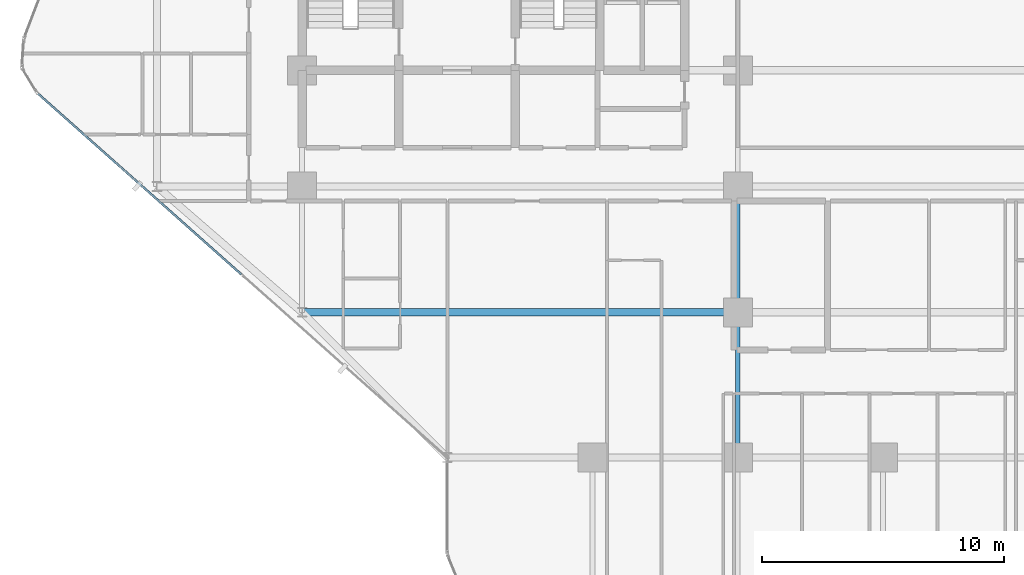
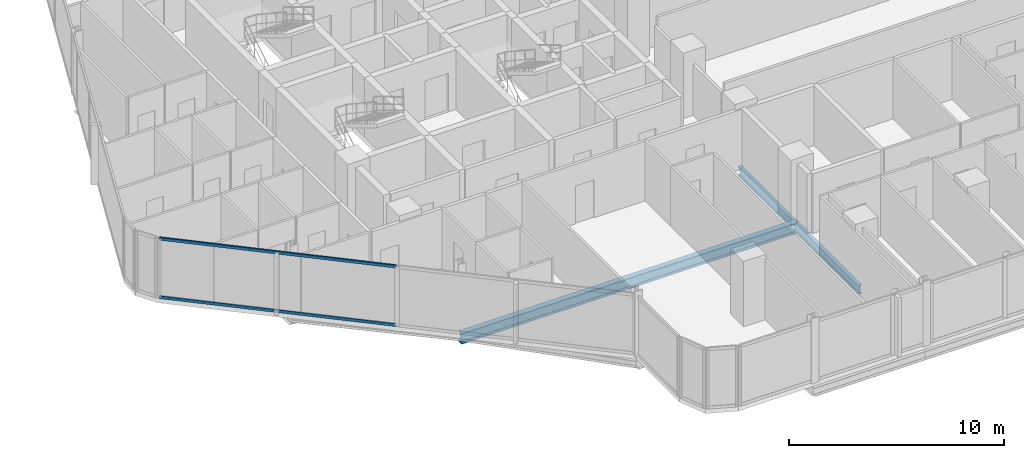
# One storey, part 5 of 34: 3 beams, 2 members, 1 element without a shape of its own.
"""IFC4 building model written with IfcOpenShell, lengths in metres."""

from ifc_helpers import new_model, si_unit, direction, frame, origin, origin_2d, place, context, subcontext, project, spatial, hollow_rectangle, i_section, extrude, material, layer, layer_set, material_profile, profile_set, type_object, element, aggregate, save


model = new_model("IFC4")

# Units and contexts
model_context = context("Model", 3, precision=1e-05, world=origin(), true_north=direction((0.0, 1.0)))
body_context = subcontext(model_context, "Body", "Model", "MODEL_VIEW")
ifc_project = project(units=[si_unit("LENGTHUNIT", "METRE"), si_unit("AREAUNIT", "SQUARE_METRE"), si_unit("VOLUMEUNIT", "CUBIC_METRE"), si_unit("PLANEANGLEUNIT", "RADIAN"), si_unit("MASSUNIT", "GRAM", prefix="KILO")], contexts=[model_context])

# Site, building, storey
site_placement = place(None, origin())
site = spatial("IfcSite", under=ifc_project, at=site_placement, CompositionType="ELEMENT")
building_placement = place(site_placement, origin())
building = spatial("IfcBuilding", under=site, at=building_placement, Name="Keshet Zoharim Tower", CompositionType="ELEMENT")
storey_placement = place(building_placement, frame((0.0, 0.0, 53.60009765625)))
storey = spatial("IfcBuildingStorey", under=building, at=storey_placement, Name="L12", CompositionType="ELEMENT", Elevation=53.60009765625)

# Beams
ifc_material_1 = material(Name="Steel S355", Category="steel")
ifc_material_profile_1 = material_profile(ifc_material_1, i_section(OverallWidth=0.300048828125, OverallDepth=0.60009765625, WebThickness=0.015380859375, FlangeThickness=0.030029296875, FilletRadius=0.027099609375, at=origin_2d()), Name="HEB600")
ifc_profile_set_1 = profile_set([ifc_material_profile_1], Name="Steel S355")
beam_type_1 = type_object("IfcBeamType", Name="BM-LNG-HB600", PredefinedType="BEAM", material=ifc_profile_set_1)
beam_1_placement = place(storey_placement, frame((15.0, 12.699951171875, -0.614990234375), z_axis=(1.0, 0.0, 0.0), x_axis=(0.0, 1.0, 0.0)))
element("IfcBeam", 1, at=beam_1_placement, inside=storey, type_object=beam_type_1, Name="L12 Primary Girder X-011", PredefinedType="BEAM", context=body_context, shape_type="SweptSolid", body=[
    extrude(i_section(OverallWidth=0.300048828125, OverallDepth=0.60009765625, WebThickness=0.015380859375, FlangeThickness=0.030029296875, FilletRadius=0.027099609375, at=origin_2d()), origin(), (0.0, 0.0, 1.0), 18.0),
])
ifc_material_profile_2 = material_profile(ifc_material_1, i_section(OverallWidth=0.199951171875, OverallDepth=0.5, WebThickness=0.01025390625, FlangeThickness=0.01611328125, FilletRadius=0.02099609375, at=origin_2d()), Name="IPE500")
ifc_profile_set_2 = profile_set([ifc_material_profile_2], Name="Steel S355")
beam_type_2 = type_object("IfcBeamType", Name="BM-PRI-IP500", PredefinedType="BEAM", material=ifc_profile_set_2)
beam_2_placement = place(storey_placement, frame((33.0, 6.699951171875, -0.565185546875), z_axis=(0.0, 1.0, 0.0), x_axis=(-1.0, 0.0, 0.0)))
element("IfcBeam", 2, at=beam_2_placement, inside=storey, type_object=beam_type_2, Name="L12 Primary Girder Y-006", PredefinedType="BEAM", context=body_context, shape_type="SweptSolid", body=[
    extrude(i_section(OverallWidth=0.199951171875, OverallDepth=0.5, WebThickness=0.01025390625, FlangeThickness=0.01611328125, FilletRadius=0.02099609375, at=origin_2d()), origin(), (0.0, 0.0, 1.0), 6.0),
])
beam_3_placement = place(storey_placement, frame((33.0, 12.699951171875, -0.565185546875), z_axis=(0.0, 1.0, 0.0), x_axis=(-1.0, 0.0, 0.0)))
element("IfcBeam", 3, at=beam_3_placement, inside=storey, type_object=beam_type_2, Name="L12 Primary Girder Y-007", PredefinedType="BEAM", context=body_context, shape_type="SweptSolid", body=[
    extrude(i_section(OverallWidth=0.199951171875, OverallDepth=0.5, WebThickness=0.01025390625, FlangeThickness=0.01611328125, FilletRadius=0.02099609375, at=origin_2d()), origin(), (0.0, 0.0, 1.0), 5.199951171875),
])

# Curtain wall, members
ifc_material_2 = material(Name="Aluminium 6063-T6", Category="aluminium")
ifc_layer = layer(ifc_material_2, 0.179931640625)
ifc_layer_set = layer_set([ifc_layer], Name="Aluminium 6063-T6")
curtain_wall_type = type_object("IfcCurtainWallType", Name="CW-SYS-01", PredefinedType="NOTDEFINED", material=ifc_layer_set)
curtain_wall_placement = place(storey_placement, origin())
curtain_wall = element("IfcCurtainWall", 4, at=curtain_wall_placement, inside=storey, type_object=curtain_wall_type, Name="L12 Unitised Curtain Wall 01", PredefinedType="NOTDEFINED")
ifc_material_profile_3 = material_profile(ifc_material_2, hollow_rectangle(XDim=0.0849609375, YDim=0.159912109375, WallThickness=0.00439453125, at=origin_2d()), Name="TRN-85x160")
ifc_profile_set_3 = profile_set([ifc_material_profile_3], Name="Aluminium 6063-T6")
member_type = type_object("IfcMemberType", Name="CWT-T16", PredefinedType="USERDEFINED", material=ifc_profile_set_3)
member_1_placement = place(storey_placement, frame((12.491455078125, 14.26318359375, 0.034912109375), z_axis=(-0.747411714548, 0.664361143472, 0.0), x_axis=(-0.664361143472, -0.747411714548, 0.0)))
member_1 = element("IfcMember", 5, at=member_1_placement, type_object=member_type, Name="CW-01 transom 2.1", ObjectType="TRANSOM", PredefinedType="USERDEFINED", context=body_context, shape_type="SweptSolid", body=[
    extrude(hollow_rectangle(XDim=0.0849609375, YDim=0.159912109375, WallThickness=0.00439453125, at=origin_2d()), origin(), (0.0, 0.0, 1.0), 11.244140625),
])
member_2_placement = place(storey_placement, frame((12.491455078125, 14.26318359375, 3.349853515625), z_axis=(-0.747411714548, 0.664361143472, 0.0), x_axis=(-0.664361143472, -0.747411714548, 0.0)))
member_2 = element("IfcMember", 6, at=member_2_placement, type_object=member_type, Name="CW-01 transom 2.2", ObjectType="TRANSOM", PredefinedType="USERDEFINED", context=body_context, shape_type="SweptSolid", body=[
    extrude(hollow_rectangle(XDim=0.0849609375, YDim=0.159912109375, WallThickness=0.00439453125, at=origin_2d()), origin(), (0.0, 0.0, 1.0), 11.244140625),
])
aggregate(curtain_wall, [member_1, member_2])

save(model, "model.ifc")
